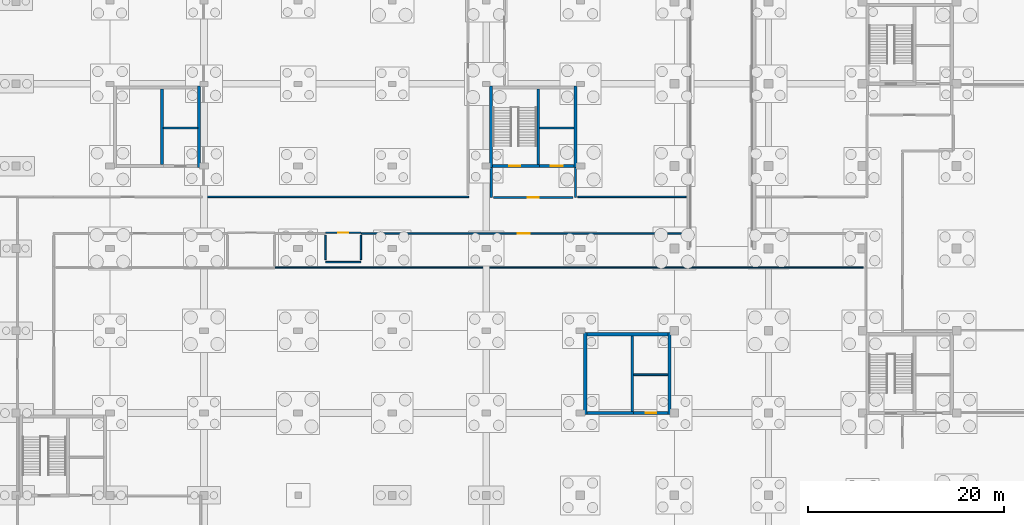
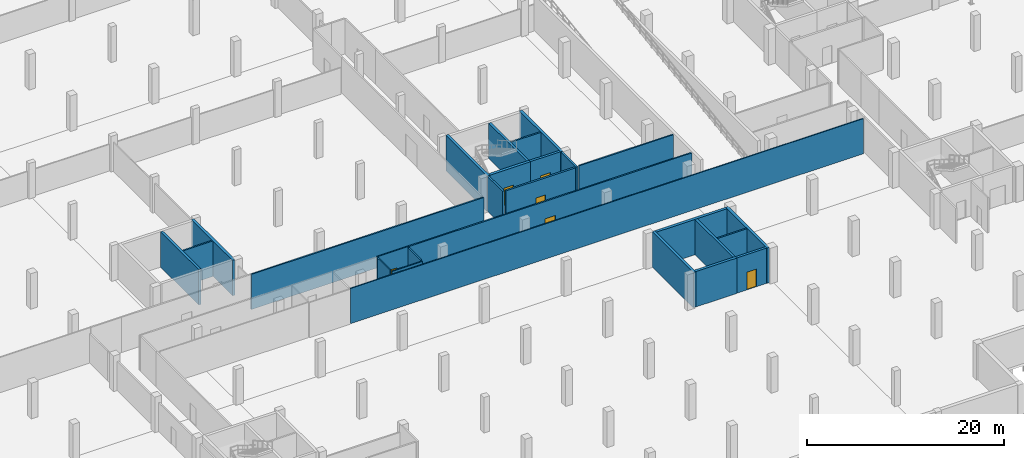
# One storey, part 20 of 26: 27 walls, 6 doors, 6 openings.
"""IFC4 building model written with IfcOpenShell, lengths in metres."""

from ifc_helpers import new_model, si_unit, direction, frame, frame_2d, origin, place, context, subcontext, project, spatial, rectangle, extrude, material, layer, layer_set, type_object, element, fill, save


model = new_model("IFC4")

# Units and contexts
model_context = context("Model", 3, precision=1e-05, world=origin(), true_north=direction((0.0, 1.0)))
body_context = subcontext(model_context, "Body", "Model", "MODEL_VIEW")
ifc_project = project(units=[si_unit("LENGTHUNIT", "METRE"), si_unit("AREAUNIT", "SQUARE_METRE"), si_unit("VOLUMEUNIT", "CUBIC_METRE"), si_unit("PLANEANGLEUNIT", "RADIAN"), si_unit("MASSUNIT", "GRAM", prefix="KILO")], contexts=[model_context])

# Site, building, storey
site_placement = place(None, origin())
site = spatial("IfcSite", under=ifc_project, at=site_placement, CompositionType="ELEMENT")
building_placement = place(site_placement, origin())
building = spatial("IfcBuilding", under=site, at=building_placement, Name="Lornevale Opera House", CompositionType="ELEMENT")
storey_placement = place(building_placement, frame((0.0, 0.0, -9.60009765625)))
storey = spatial("IfcBuildingStorey", under=building, at=storey_placement, Name="B2", CompositionType="ELEMENT", Elevation=-9.60009765625)

# Walls
ifc_material_1 = material(Name="Concrete 40 MPa (CSA A23.1 C-1)", Category="concrete")
ifc_layer_1 = layer(ifc_material_1, 0.320068359375)
ifc_layer_set_1 = layer_set([ifc_layer_1], Name="Concrete 40 MPa (CSA A23.1 C-1)")
wall_type_1 = type_object("IfcWallType", Name="Core Shear Wall 320", PredefinedType="SHEAR", material=ifc_layer_set_1)
wall_1_placement = place(storey_placement, frame((106.260009765625, 33.60009765625, 0.0), z_axis=(0.0, 0.0, 1.0), x_axis=(1.0, 0.0, 0.0)))
element("IfcWall", 1, at=wall_1_placement, inside=storey, type_object=wall_type_1, Name="South-East Foyer Core Core Shear Wall 320 WL-COR-0036", PredefinedType="SHEAR", context=body_context, shape_type="SweptSolid", body=[
    extrude(rectangle(XDim=4.780029296875, YDim=0.320068359375, at=frame_2d((2.39013671875, 0.0))), origin(), (0.0, 0.0, 1.0), 4.380126953125),
])
wall_2_placement = place(storey_placement, frame((114.5400390625, 41.639892578125, 0.0), z_axis=(0.0, 0.0, 1.0), x_axis=(-1.0, 0.0, 0.0)))
element("IfcWall", 2, at=wall_2_placement, inside=storey, type_object=wall_type_1, Name="South-East Foyer Core Core Shear Wall 320 WL-COR-0038", PredefinedType="SHEAR", context=body_context, shape_type="SweptSolid", body=[
    extrude(rectangle(XDim=8.280029296875, YDim=0.320068359375, at=frame_2d((4.14013671875, 0.0))), origin(), (0.0, 0.0, 1.0), 4.380126953125),
])
for number, where, z_axis, x_axis, name in (
    (3, (106.10009765625, 41.800048828125, 0.0), (0.0, 0.0, 1.0), (0.0, -1.0, 0.0), "South-East Foyer Core Core Shear Wall 320 WL-COR-0039"),
    (4, (114.699951171875, 33.43994140625, 0.0), (0.0, 0.0, 1.0), (0.0, 1.0, 0.0), "South-East Foyer Core Core Shear Wall 320 WL-COR-0040"),
    (5, (66.699951171875, 58.639892578125, 0.0), (0.0, 0.0, 1.0), (0.0, 1.0, 0.0), "Auditorium West Tier Core Core Shear Wall 320 WL-COR-0152"),
):
    element("IfcWall", number, at=place(storey_placement, frame(where, z_axis=z_axis, x_axis=x_axis)), inside=storey, type_object=wall_type_1, Name=name, PredefinedType="SHEAR", context=body_context, shape_type="SweptSolid", body=[
        extrude(rectangle(XDim=8.360107421875, YDim=0.320068359375, at=frame_2d((4.18017578125, 0.0))), origin(), (0.0, 0.0, 1.0), 4.380126953125),
    ])

# Wall, opening, door
wall_3_placement = place(storey_placement, frame((96.659912109375, 58.800048828125, 0.0), z_axis=(0.0, 0.0, 1.0), x_axis=(1.0, 0.0, 0.0)))
wall_3 = element("IfcWall", 6, at=wall_3_placement, inside=storey, type_object=wall_type_1, Name="Stagehouse Firefighter Core West Core Shear Wall 320 WL-COR-0197", PredefinedType="SHEAR", context=body_context, shape_type="SweptSolid", body=[
    extrude(rectangle(XDim=4.780029296875, YDim=0.320068359375, at=frame_2d((2.39013671875, 0.0))), origin(), (0.0, 0.0, 1.0), 4.380126953125),
])
opening_1_placement = place(wall_3_placement, frame((1.68994140625, 0.0, 0.0)))
opening_1 = element("IfcOpeningElement", 7, at=opening_1_placement, cuts=wall_3, Name="Opening DR-T11", PredefinedType="OPENING", context=body_context, shape_type="SweptSolid", body=[
    extrude(rectangle(XDim=1.10009765625, YDim=2.199951171875, at=frame_2d((0.550048828125, 1.10009765625))), frame((0.0, 0.169921875, 0.0), z_axis=(0.0, -1.0, 0.0), x_axis=(1.0, 0.0, 0.0)), (0.0, 0.0, 1.0), 0.340087890625),
])
ifc_material_2 = material(Name="Painted Hollow Metal Door Steel", Category="steel")
ifc_layer_2 = layer(ifc_material_2, 2.199951171875)
ifc_layer_set_2 = layer_set([ifc_layer_2], Name="Painted Hollow Metal Door Steel")
door_type_1 = type_object("IfcDoorType", Name="Protected Exit Stair Door R 1100x2200", OperationType="NOTDEFINED", PredefinedType="DOOR", material=ifc_layer_set_2)
door_1_placement = place(opening_1_placement, origin())
door_1 = element("IfcDoor", 8, at=door_1_placement, inside=storey, type_object=door_type_1, Name="C6 Stair Door B2", OperationType="SINGLE_SWING_RIGHT", OverallHeight=2.199951171875, OverallWidth=1.10009765625, PredefinedType="DOOR", context=body_context, shape_type="SweptSolid", body=[
    extrude(rectangle(XDim=1.10009765625, YDim=2.199951171875, at=frame_2d((0.550048828125, 1.10009765625))), frame((0.0, 0.02490234375, 0.0), z_axis=(0.0, -1.0, 0.0), x_axis=(1.0, 0.0, 0.0)), (0.0, 0.0, 1.0), 0.050048828125),
])
fill(opening_1, door_1)

# Walls
for number, where, z_axis, x_axis, name in (
    (9, (96.5, 67.0, 0.0), (0.0, 0.0, 1.0), (0.0, -1.0, 0.0), "Stagehouse Firefighter Core West Core Shear Wall 320 WL-COR-0200"),
    (10, (105.10009765625, 58.639892578125, 0.0), (0.0, 0.0, 1.0), (0.0, 1.0, 0.0), "Stagehouse Firefighter Core West Core Shear Wall 320 WL-COR-0201"),
):
    element("IfcWall", number, at=place(storey_placement, frame(where, z_axis=z_axis, x_axis=x_axis)), inside=storey, type_object=wall_type_1, Name=name, PredefinedType="SHEAR", context=body_context, shape_type="SweptSolid", body=[
        extrude(rectangle(XDim=8.360107421875, YDim=0.320068359375, at=frame_2d((4.18017578125, 0.0))), origin(), (0.0, 0.0, 1.0), 4.380126953125),
    ])
ifc_material_3 = material(Name="Acoustic Mineral-Core Gypsum Partition", Category="gypsum")
ifc_layer_3 = layer(ifc_material_3, 0.1650390625)
ifc_layer_set_3 = layer_set([ifc_layer_3], Name="Acoustic Mineral-Core Gypsum Partition")
wall_type_2 = type_object("IfcWallType", Name="Corridor Rated Partition 165", PredefinedType="PARTITIONING", material=ifc_layer_set_3)
wall_4_placement = place(storey_placement, frame((67.0, 55.659912109375, 0.0), z_axis=(0.0, 0.0, 1.0), x_axis=(1.0, 0.0, 0.0)))
element("IfcWall", 11, at=wall_4_placement, inside=storey, type_object=wall_type_2, Name="B2 Partition WL-INT-0524", PredefinedType="PARTITIONING", context=body_context, shape_type="SweptSolid", body=[
    extrude(rectangle(XDim=27.199951171875, YDim=0.1650390625, at=frame_2d((13.60009765625, 0.0))), origin(), (0.0, 0.0, 1.0), 4.35009765625),
])
wall_5_placement = place(storey_placement, frame((105.35009765625, 55.659912109375, 0.0), z_axis=(0.0, 0.0, 1.0), x_axis=(1.0, 0.0, 0.0)))
element("IfcWall", 12, at=wall_5_placement, inside=storey, type_object=wall_type_2, Name="B2 Partition WL-INT-0540", PredefinedType="PARTITIONING", context=body_context, shape_type="SweptSolid", body=[
    extrude(rectangle(XDim=11.0498046875, YDim=0.1650390625, at=frame_2d((5.52490234375, 0.0))), origin(), (0.0, 0.0, 1.0), 4.35009765625),
])

# Wall, opening, door
wall_6_placement = place(storey_placement, frame((83.260009765625, 51.93994140625, 0.0), z_axis=(0.0, 0.0, 1.0), x_axis=(1.0, 0.0, 0.0)))
wall_6 = element("IfcWall", 13, at=wall_6_placement, inside=storey, type_object=wall_type_2, Name="B2 Partition WL-INT-0541", PredefinedType="PARTITIONING", context=body_context, shape_type="SweptSolid", body=[
    extrude(rectangle(XDim=33.139892578125, YDim=0.1650390625, at=frame_2d((16.56982421875, 0.0))), origin(), (0.0, 0.0, 1.0), 4.35009765625),
])
opening_2_placement = place(wall_6_placement, frame((15.969970703125, 0.0, 0.0)))
opening_2 = element("IfcOpeningElement", 14, at=opening_2_placement, cuts=wall_6, Name="Opening DR-T24", PredefinedType="OPENING", context=body_context, shape_type="SweptSolid", body=[
    extrude(rectangle(XDim=1.199951171875, YDim=2.199951171875, at=frame_2d((0.60009765625, 1.10009765625))), frame((0.0, 0.092529296875, 0.0), z_axis=(0.0, -1.0, 0.0), x_axis=(1.0, 0.0, 0.0)), (0.0, 0.0, 1.0), 0.18505859375),
])
ifc_layer_4 = layer(ifc_material_2, 2.199951171875)
ifc_layer_set_4 = layer_set([ifc_layer_4], Name="Painted Hollow Metal Door Steel")
door_type_2 = type_object("IfcDoorType", Name="Plant Room Rated Door R 1200x2200", OperationType="NOTDEFINED", PredefinedType="DOOR", material=ifc_layer_set_4)
door_2_placement = place(opening_2_placement, origin())
door_2 = element("IfcDoor", 15, at=door_2_placement, inside=storey, type_object=door_type_2, Name="Mechanical Acoustic Plenum Plant Door", OperationType="SINGLE_SWING_RIGHT", OverallHeight=2.199951171875, OverallWidth=1.199951171875, PredefinedType="DOOR", context=body_context, shape_type="SweptSolid", body=[
    extrude(rectangle(XDim=1.199951171875, YDim=2.199951171875, at=frame_2d((0.60009765625, 1.10009765625))), frame((0.0, 0.02490234375, 0.0), z_axis=(0.0, -1.0, 0.0), x_axis=(1.0, 0.0, 0.0)), (0.0, 0.0, 1.0), 0.050048828125),
])
fill(opening_2, door_2)

# Wall
ifc_layer_5 = layer(ifc_material_3, 0.125)
ifc_layer_set_5 = layer_set([ifc_layer_5], Name="Acoustic Mineral-Core Gypsum Partition")
wall_type_3 = type_object("IfcWallType", Name="Dressing Suite Partition 125", PredefinedType="PARTITIONING", material=ifc_layer_set_5)
wall_7_placement = place(storey_placement, frame((74.4599609375, 48.4599609375, 0.0), z_axis=(0.0, 0.0, 1.0), x_axis=(1.0, 0.0, 0.0)))
element("IfcWall", 16, at=wall_7_placement, inside=storey, type_object=wall_type_3, Name="B2 Partition WL-INT-0570", PredefinedType="PARTITIONING", context=body_context, shape_type="SweptSolid", body=[
    extrude(rectangle(XDim=60.030029296875, YDim=0.125, at=frame_2d((30.01513671875, 0.0))), origin(), (0.0, 0.0, 1.0), 4.35009765625),
])

# Wall, opening, door
ifc_layer_6 = layer(ifc_material_1, 0.280029296875)
ifc_layer_set_6 = layer_set([ifc_layer_6], Name="Concrete 40 MPa (CSA A23.1 C-1)")
wall_type_4 = type_object("IfcWallType", Name="Elevator Shaft Wall 280", PredefinedType="SHEAR", material=ifc_layer_set_6)
wall_8_placement = place(storey_placement, frame((111.0400390625, 33.60009765625, 0.0), z_axis=(0.0, 0.0, 1.0), x_axis=(1.0, 0.0, 0.0)))
wall_8 = element("IfcWall", 17, at=wall_8_placement, inside=storey, type_object=wall_type_4, Name="South-East Foyer Core Elevator Shaft Wall 280 WL-COR-0037", PredefinedType="SHEAR", context=body_context, shape_type="SweptSolid", body=[
    extrude(rectangle(XDim=3.5, YDim=0.280029296875, at=frame_2d((1.75, 0.0))), origin(), (0.0, 0.0, 1.0), 4.380126953125),
])
opening_3_placement = place(wall_8_placement, frame((1.2099609375, 0.0, 0.0)))
opening_3 = element("IfcOpeningElement", 18, at=opening_3_placement, cuts=wall_8, Name="Opening DR-T25", PredefinedType="OPENING", context=body_context, shape_type="SweptSolid", body=[
    extrude(rectangle(XDim=1.10009765625, YDim=2.199951171875, at=frame_2d((0.550048828125, 1.10009765625))), frame((0.0, 0.14990234375, 0.0), z_axis=(0.0, -1.0, 0.0), x_axis=(1.0, 0.0, 0.0)), (0.0, 0.0, 1.0), 0.300048828125),
])
ifc_layer_7 = layer(ifc_material_2, 2.199951171875)
ifc_layer_set_7 = layer_set([ifc_layer_7], Name="Painted Hollow Metal Door Steel")
door_type_3 = type_object("IfcDoorType", Name="Passenger Lift Landing Door 1100x2200", OperationType="NOTDEFINED", PredefinedType="DOOR", material=ifc_layer_set_7)
door_3_placement = place(opening_3_placement, origin())
door_3 = element("IfcDoor", 19, at=door_3_placement, inside=storey, type_object=door_type_3, Name="L-P2 Landing Door B2", OperationType="SLIDING_TO_LEFT", OverallHeight=2.199951171875, OverallWidth=1.10009765625, PredefinedType="DOOR", context=body_context, shape_type="SweptSolid", body=[
    extrude(rectangle(XDim=1.10009765625, YDim=2.199951171875, at=frame_2d((0.550048828125, 1.10009765625))), frame((0.0, 0.02490234375, 0.0), z_axis=(0.0, -1.0, 0.0), x_axis=(1.0, 0.0, 0.0)), (0.0, 0.0, 1.0), 0.050048828125),
])
fill(opening_3, door_3)

# Walls
for number, where, z_axis, x_axis, name in (
    (20, (110.89990234375, 33.760009765625, 0.0), (0.0, 0.0, 1.0), (0.0, 1.0, 0.0), "South-East Foyer Core Elevator Shaft Wall 280 WL-COR-0041"),
    (21, (62.89990234375, 58.9599609375, 0.0), (0.0, 0.0, 1.0), (0.0, 1.0, 0.0), "Auditorium West Tier Core Elevator Shaft Wall 280 WL-COR-0153"),
):
    element("IfcWall", number, at=place(storey_placement, frame(where, z_axis=z_axis, x_axis=x_axis)), inside=storey, type_object=wall_type_4, Name=name, PredefinedType="SHEAR", context=body_context, shape_type="SweptSolid", body=[
        extrude(rectangle(XDim=7.719970703125, YDim=0.280029296875, at=frame_2d((3.85986328125, 0.0))), origin(), (0.0, 0.0, 1.0), 4.380126953125),
    ])

# Wall, opening, door
wall_9_placement = place(storey_placement, frame((101.43994140625, 58.800048828125, 0.0), z_axis=(0.0, 0.0, 1.0), x_axis=(1.0, 0.0, 0.0)))
wall_9 = element("IfcWall", 22, at=wall_9_placement, inside=storey, type_object=wall_type_4, Name="Stagehouse Firefighter Core West Elevator Shaft Wall 280 WL-COR-0198", PredefinedType="SHEAR", context=body_context, shape_type="SweptSolid", body=[
    extrude(rectangle(XDim=3.5, YDim=0.280029296875, at=frame_2d((1.75, 0.0))), origin(), (0.0, 0.0, 1.0), 4.380126953125),
])
opening_4_placement = place(wall_9_placement, frame((1.159912109375, 0.0, 0.0)))
opening_4 = element("IfcOpeningElement", 23, at=opening_4_placement, cuts=wall_9, Name="Opening DR-T26", PredefinedType="OPENING", context=body_context, shape_type="SweptSolid", body=[
    extrude(rectangle(XDim=1.199951171875, YDim=2.199951171875, at=frame_2d((0.60009765625, 1.10009765625))), frame((0.0, 0.14990234375, 0.0), z_axis=(0.0, -1.0, 0.0), x_axis=(1.0, 0.0, 0.0)), (0.0, 0.0, 1.0), 0.300048828125),
])
ifc_layer_8 = layer(ifc_material_2, 2.199951171875)
ifc_layer_set_8 = layer_set([ifc_layer_8], Name="Painted Hollow Metal Door Steel")
door_type_4 = type_object("IfcDoorType", Name="Firefighter Lift Landing Door 1200x2200", OperationType="NOTDEFINED", PredefinedType="DOOR", material=ifc_layer_set_8)
door_4_placement = place(opening_4_placement, origin())
door_4 = element("IfcDoor", 24, at=door_4_placement, inside=storey, type_object=door_type_4, Name="L-FF1 Landing Door B2", OperationType="SLIDING_TO_RIGHT", OverallHeight=2.199951171875, OverallWidth=1.199951171875, PredefinedType="DOOR", context=body_context, shape_type="SweptSolid", body=[
    extrude(rectangle(XDim=1.199951171875, YDim=2.199951171875, at=frame_2d((0.60009765625, 1.10009765625))), frame((0.0, 0.02490234375, 0.0), z_axis=(0.0, -1.0, 0.0), x_axis=(1.0, 0.0, 0.0)), (0.0, 0.0, 1.0), 0.050048828125),
])
fill(opening_4, door_4)

# Walls
wall_10_placement = place(storey_placement, frame((101.300048828125, 58.9599609375, 0.0), z_axis=(0.0, 0.0, 1.0), x_axis=(0.0, 1.0, 0.0)))
element("IfcWall", 25, at=wall_10_placement, inside=storey, type_object=wall_type_4, Name="Stagehouse Firefighter Core West Elevator Shaft Wall 280 WL-COR-0202", PredefinedType="SHEAR", context=body_context, shape_type="SweptSolid", body=[
    extrude(rectangle(XDim=7.719970703125, YDim=0.280029296875, at=frame_2d((3.85986328125, 0.0))), origin(), (0.0, 0.0, 1.0), 4.380126953125),
])
ifc_material_4 = material(Name="Concrete 35 MPa (CSA A23.1 N)", Category="concrete")
ifc_layer_9 = layer(ifc_material_4, 0.219970703125)
ifc_layer_set_9 = layer_set([ifc_layer_9], Name="Concrete 35 MPa (CSA A23.1 N)")
wall_type_5 = type_object("IfcWallType", Name="Firefighter Vestibule Wall 220", PredefinedType="SOLIDWALL", material=ifc_layer_set_9)
for number, where, z_axis, x_axis, name in (
    (26, (96.5, 55.60009765625, 0.0), (0.0, 0.0, 1.0), (0.0, 1.0, 0.0), "C6 Vestibule West Wall WL-INT-0376"),
    (27, (105.10009765625, 55.60009765625, 0.0), (0.0, 0.0, 1.0), (0.0, 1.0, 0.0), "C6 Vestibule East Wall WL-INT-0377"),
):
    element("IfcWall", number, at=place(storey_placement, frame(where, z_axis=z_axis, x_axis=x_axis)), inside=storey, type_object=wall_type_5, Name=name, PredefinedType="SOLIDWALL", context=body_context, shape_type="SweptSolid", body=[
        extrude(rectangle(XDim=3.039794921875, YDim=0.219970703125, at=frame_2d((1.52001953125, 0.0))), origin(), (0.0, 0.0, 1.0), 4.320068359375),
    ])

# Wall, opening, door
wall_11_placement = place(storey_placement, frame((96.75, 55.60009765625, 0.0), z_axis=(0.0, 0.0, 1.0), x_axis=(1.0, 0.0, 0.0)))
wall_11 = element("IfcWall", 28, at=wall_11_placement, inside=storey, type_object=wall_type_5, Name="C6 Vestibule South Wall WL-INT-0378", PredefinedType="SOLIDWALL", context=body_context, shape_type="SweptSolid", body=[
    extrude(rectangle(XDim=8.10009765625, YDim=0.219970703125, at=frame_2d((4.050048828125, 0.0))), origin(), (0.0, 0.0, 1.0), 4.320068359375),
])
opening_5_placement = place(wall_11_placement, frame((3.5, 0.0, 0.0)))
opening_5 = element("IfcOpeningElement", 29, at=opening_5_placement, cuts=wall_11, Name="Opening DR-T13", PredefinedType="OPENING", context=body_context, shape_type="SweptSolid", body=[
    extrude(rectangle(XDim=1.10009765625, YDim=2.199951171875, at=frame_2d((0.550048828125, 1.10009765625))), frame((0.0, 0.119873046875, 0.0), z_axis=(0.0, -1.0, 0.0), x_axis=(1.0, 0.0, 0.0)), (0.0, 0.0, 1.0), 0.239990234375),
])
ifc_layer_10 = layer(ifc_material_2, 2.199951171875)
ifc_layer_set_10 = layer_set([ifc_layer_10], Name="Painted Hollow Metal Door Steel")
door_type_5 = type_object("IfcDoorType", Name="Firefighter Vestibule Door 1100x2200", OperationType="NOTDEFINED", PredefinedType="DOOR", material=ifc_layer_set_10)
door_5_placement = place(opening_5_placement, origin())
door_5 = element("IfcDoor", 30, at=door_5_placement, inside=storey, type_object=door_type_5, Name="C6 Firefighter Vestibule Door B2", OperationType="SINGLE_SWING_LEFT", OverallHeight=2.199951171875, OverallWidth=1.10009765625, PredefinedType="DOOR", context=body_context, shape_type="SweptSolid", body=[
    extrude(rectangle(XDim=1.10009765625, YDim=2.199951171875, at=frame_2d((0.550048828125, 1.10009765625))), frame((0.0, 0.02490234375, 0.0), z_axis=(0.0, -1.0, 0.0), x_axis=(1.0, 0.0, 0.0)), (0.0, 0.0, 1.0), 0.050048828125),
])
fill(opening_5, door_5)

# Walls
ifc_material_5 = material(Name="Moisture-Resistant Ceramic & Gypsum Partition", Category="gypsum")
ifc_layer_11 = layer(ifc_material_5, 0.179931640625)
ifc_layer_set_11 = layer_set([ifc_layer_11], Name="Moisture-Resistant Ceramic & Gypsum Partition")
wall_type_6 = type_object("IfcWallType", Name="Riser Shaft Wall 180", PredefinedType="SOLIDWALL", material=ifc_layer_set_11)
for number, where, z_axis, x_axis, name in (
    (31, (111.0400390625, 37.5, 0.0), (0.0, 0.0, 1.0), (1.0, 0.0, 0.0), "South-East Foyer Core Riser Shaft Wall 180 WL-COR-0042"),
    (32, (63.0400390625, 62.699951171875, 0.0), (0.0, 0.0, 1.0), (1.0, 0.0, 0.0), "Auditorium West Tier Core Riser Shaft Wall 180 WL-COR-0154"),
    (33, (101.43994140625, 62.699951171875, 0.0), (0.0, 0.0, 1.0), (1.0, 0.0, 0.0), "Stagehouse Firefighter Core West Riser Shaft Wall 180 WL-COR-0203"),
):
    element("IfcWall", number, at=place(storey_placement, frame(where, z_axis=z_axis, x_axis=x_axis)), inside=storey, type_object=wall_type_6, Name=name, PredefinedType="SOLIDWALL", context=body_context, shape_type="SweptSolid", body=[
        extrude(rectangle(XDim=3.5, YDim=0.179931640625, at=frame_2d((1.75, 0.0))), origin(), (0.0, 0.0, 1.0), 4.380126953125),
    ])
ifc_layer_12 = layer(ifc_material_5, 0.139892578125)
ifc_layer_set_12 = layer_set([ifc_layer_12], Name="Moisture-Resistant Ceramic & Gypsum Partition")
wall_type_7 = type_object("IfcWallType", Name="Washroom Moisture Partition 140", PredefinedType="PARTITIONING", material=ifc_layer_set_12)
wall_12_placement = place(storey_placement, frame((79.60009765625, 49.0, 0.0), z_axis=(0.0, 0.0, 1.0), x_axis=(1.0, 0.0, 0.0)))
element("IfcWall", 34, at=wall_12_placement, inside=storey, type_object=wall_type_7, Name="Basement Accessible WC S Wall WL-INT-0428", PredefinedType="PARTITIONING", context=body_context, shape_type="SweptSolid", body=[
    extrude(rectangle(XDim=3.599853515625, YDim=0.139892578125, at=frame_2d((1.7998046875, 0.0))), origin(), (0.0, 0.0, 1.0), 4.320068359375),
])

# Wall, opening, door
wall_13_placement = place(storey_placement, frame((79.60009765625, 52.0, 0.0), z_axis=(0.0, 0.0, 1.0), x_axis=(1.0, 0.0, 0.0)))
wall_13 = element("IfcWall", 35, at=wall_13_placement, inside=storey, type_object=wall_type_7, Name="Basement Accessible WC N Wall WL-INT-0429", PredefinedType="PARTITIONING", context=body_context, shape_type="SweptSolid", body=[
    extrude(rectangle(XDim=3.599853515625, YDim=0.139892578125, at=frame_2d((1.7998046875, 0.0))), origin(), (0.0, 0.0, 1.0), 4.320068359375),
])
opening_6_placement = place(wall_13_placement, frame((1.300048828125, 0.0, 0.0)))
opening_6 = element("IfcOpeningElement", 36, at=opening_6_placement, cuts=wall_13, Name="Opening DR-T23", PredefinedType="OPENING", context=body_context, shape_type="SweptSolid", body=[
    extrude(rectangle(XDim=1.0, YDim=2.14990234375, at=frame_2d((0.5, 1.074951171875))), frame((0.0, 0.079833984375, 0.0), z_axis=(0.0, -1.0, 0.0), x_axis=(1.0, 0.0, 0.0)), (0.0, 0.0, 1.0), 0.159912109375),
])
ifc_material_6 = material(Name="White Oak Acoustic Panelling", Category="wood")
ifc_layer_13 = layer(ifc_material_6, 2.14990234375)
ifc_layer_set_13 = layer_set([ifc_layer_13], Name="White Oak Acoustic Panelling")
door_type_6 = type_object("IfcDoorType", Name="Accessible WC Door L 1000x2150", OperationType="NOTDEFINED", PredefinedType="DOOR", material=ifc_layer_set_13)
door_6_placement = place(opening_6_placement, origin())
door_6 = element("IfcDoor", 37, at=door_6_placement, inside=storey, type_object=door_type_6, Name="Basement Accessible WC Door", OperationType="SINGLE_SWING_LEFT", OverallHeight=2.14990234375, OverallWidth=1.0, PredefinedType="DOOR", context=body_context, shape_type="SweptSolid", body=[
    extrude(rectangle(XDim=1.0, YDim=2.14990234375, at=frame_2d((0.5, 1.074951171875))), frame((0.0, 0.02490234375, 0.0), z_axis=(0.0, -1.0, 0.0), x_axis=(1.0, 0.0, 0.0)), (0.0, 0.0, 1.0), 0.050048828125),
])
fill(opening_6, door_6)

# Walls
for number, where, z_axis, x_axis, name in (
    (38, (79.60009765625, 49.25, 0.0), (0.0, 0.0, 1.0), (0.0, 1.0, 0.0), "Basement Accessible WC W Wall WL-INT-0430"),
    (39, (83.199951171875, 49.25, 0.0), (0.0, 0.0, 1.0), (0.0, 1.0, 0.0), "Basement Accessible WC E Wall WL-INT-0431"),
):
    element("IfcWall", number, at=place(storey_placement, frame(where, z_axis=z_axis, x_axis=x_axis)), inside=storey, type_object=wall_type_7, Name=name, PredefinedType="PARTITIONING", context=body_context, shape_type="SweptSolid", body=[
        extrude(rectangle(XDim=2.5, YDim=0.139892578125, at=frame_2d((1.25, 0.0))), origin(), (0.0, 0.0, 1.0), 4.320068359375),
    ])

save(model, "model.ifc")
